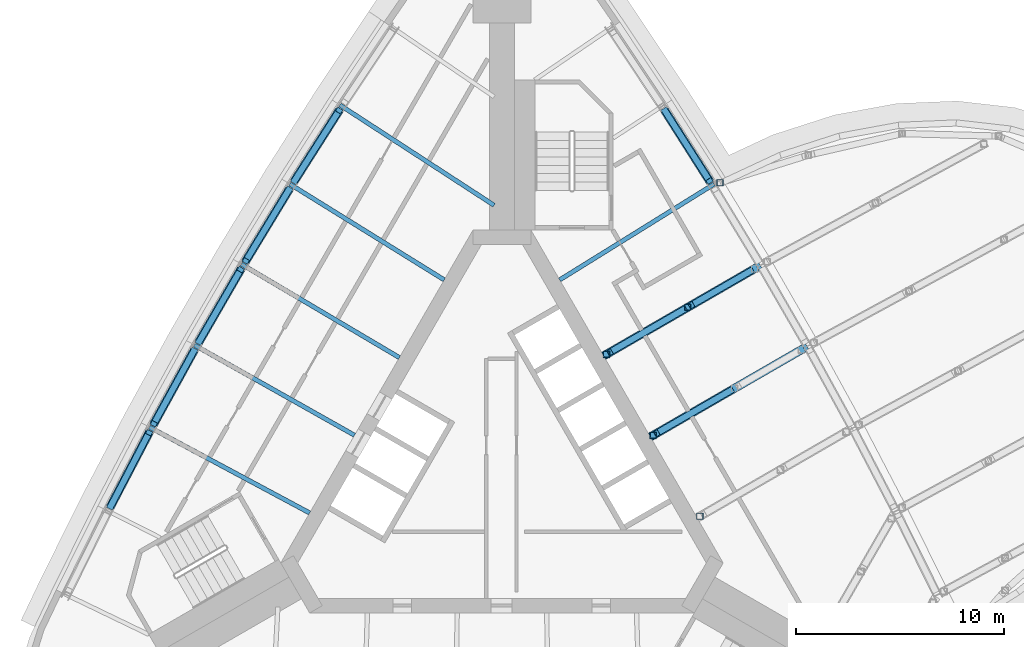
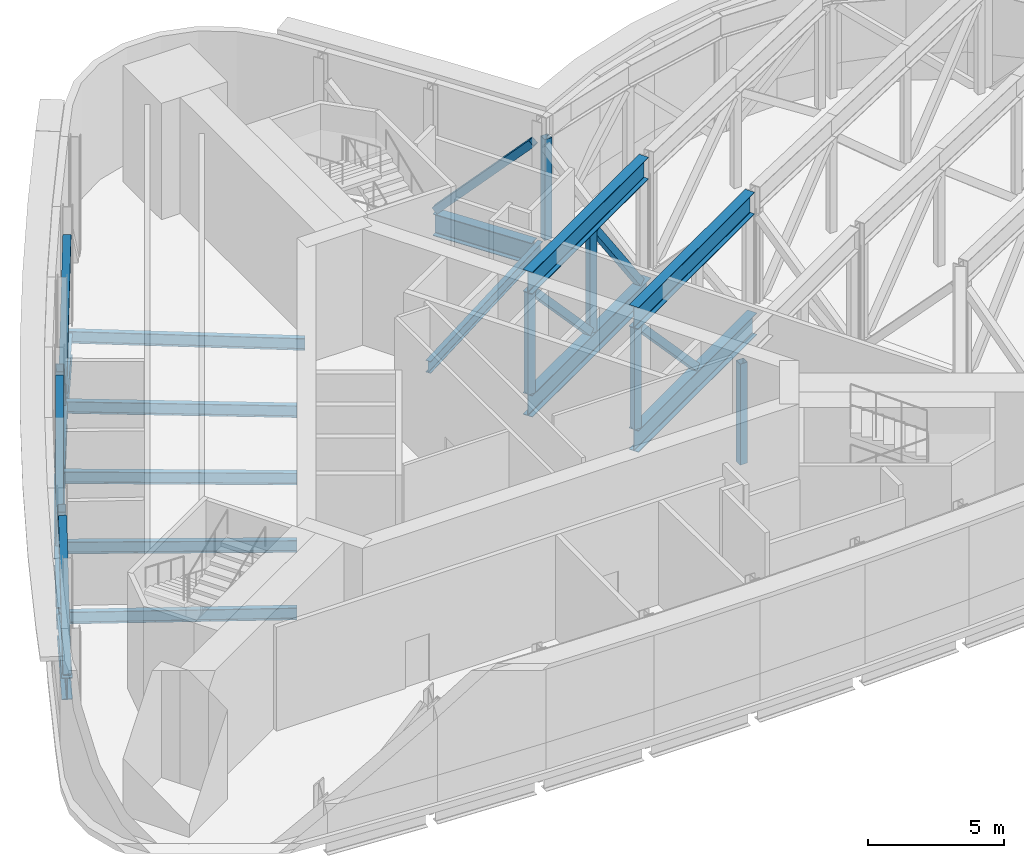
# One storey, part 2 of 11: 18 members, 12 beams.
"""IFC4 building model written with IfcOpenShell, lengths in metres."""

from ifc_helpers import new_model, si_unit, direction, frame, origin, origin_2d, place, context, subcontext, project, spatial, hollow_rectangle, i_section, extrude, material, material_profile, profile_set, type_object, element, save


model = new_model("IFC4")

# Units and contexts
model_context = context("Model", 3, precision=1e-05, world=origin(), true_north=direction((0.0, 1.0)))
body_context = subcontext(model_context, "Body", "Model", "MODEL_VIEW")
ifc_project = project(units=[si_unit("LENGTHUNIT", "METRE"), si_unit("AREAUNIT", "SQUARE_METRE"), si_unit("VOLUMEUNIT", "CUBIC_METRE"), si_unit("PLANEANGLEUNIT", "RADIAN"), si_unit("MASSUNIT", "GRAM", prefix="KILO")], contexts=[model_context])

# Site, building, storey
site_placement = place(None, origin())
site = spatial("IfcSite", under=ifc_project, at=site_placement, CompositionType="ELEMENT")
building_placement = place(site_placement, origin())
building = spatial("IfcBuilding", under=site, at=building_placement, Name="Noor Cloister Tower", CompositionType="ELEMENT")
storey_placement = place(building_placement, frame((0.0, 0.0, 168.89990234375)))
storey = spatial("IfcBuildingStorey", under=building, at=storey_placement, Name="L43", CompositionType="ELEMENT", Elevation=168.89990234375)

# Beams
ifc_material_1 = material(Name="Steel ASTM A992 Gr 50", Category="steel")
ifc_material_profile_1 = material_profile(ifc_material_1, i_section(OverallWidth=0.40087890625, OverallDepth=0.98291015625, WebThickness=0.0166015625, FlangeThickness=0.027099609375, FilletRadius=0.030029296875, at=origin_2d()), Name="W1000x296")
ifc_profile_set_1 = profile_set([ifc_material_profile_1], Name="Steel ASTM A992 Gr 50")
beam_type_1 = type_object("IfcBeamType", Name="Belt chord girder W1000x296", PredefinedType="BEAM", material=ifc_profile_set_1)
for number, where, z_axis, x_axis, name in (
    (1, (-7.791015625, 17.21875, -0.79150390625), (-0.536241799089, -0.844064412773, 0.0), (0.844064412773, -0.536241799089, 0.0), "Spandrel beam NW 02 L43"),
    (2, (-10.194091796875, 13.427978515625, -0.79150390625), (-0.518265991157, -0.85521948201, 0.0), (0.85521948201, -0.518265991157, 0.0), "Spandrel beam NW 03 L43"),
    (3, (-12.5166015625, 9.58740234375, -0.79150390625), (-0.499953296348, -0.866052366471, 0.0), (0.866052366471, -0.499953296348, 0.0), "Spandrel beam NW 04 L43"),
):
    element("IfcBeam", number, at=place(storey_placement, frame(where, z_axis=z_axis, x_axis=x_axis)), inside=storey, type_object=beam_type_1, Name=name, PredefinedType="BEAM", context=body_context, shape_type="SweptSolid", body=[
        extrude(i_section(OverallWidth=0.40087890625, OverallDepth=0.98291015625, WebThickness=0.0166015625, FlangeThickness=0.027099609375, FilletRadius=0.030029296875, at=origin_2d()), origin(), (0.0, 0.0, 1.0), 4.08935546875),
    ])
for number, where, z_axis, x_axis, name in (
    (4, (-14.757080078125, 5.6982421875, -0.79150390625), (-0.481531356591, -0.876428863411, 0.0), (0.876428863411, -0.481531356591, 0.0), "Spandrel beam NW 05 L43"),
    (5, (-16.91455078125, 1.7626953125, -0.79150390625), (-0.462882237946, -0.886419784185, 0.0), (0.886419784185, -0.462882237946, 0.0), "Spandrel beam NW 06 L43"),
):
    element("IfcBeam", number, at=place(storey_placement, frame(where, z_axis=z_axis, x_axis=x_axis)), inside=storey, type_object=beam_type_1, Name=name, PredefinedType="BEAM", context=body_context, shape_type="SweptSolid", body=[
        extrude(i_section(OverallWidth=0.40087890625, OverallDepth=0.98291015625, WebThickness=0.0166015625, FlangeThickness=0.027099609375, FilletRadius=0.030029296875, at=origin_2d()), origin(), (0.0, 0.0, 1.0), 4.089111328125),
    ])
beam_1_placement = place(storey_placement, frame((9.98388671875, 13.76708984375, -0.79150390625), z_axis=(-0.536241799089, 0.844064412773, 0.0), x_axis=(-0.844064412773, -0.536241799089, 0.0)))
element("IfcBeam", 6, at=beam_1_placement, inside=storey, type_object=beam_type_1, Name="Spandrel beam NE 06 L43", PredefinedType="BEAM", context=body_context, shape_type="SweptSolid", body=[
    extrude(i_section(OverallWidth=0.40087890625, OverallDepth=0.98291015625, WebThickness=0.0166015625, FlangeThickness=0.027099609375, FilletRadius=0.030029296875, at=origin_2d()), origin(), (0.0, 0.0, 1.0), 4.08935546875),
])

# Members
ifc_material_2 = material(Name="Steel ASTM A500 Gr C", Category="steel")
ifc_material_profile_2 = material_profile(ifc_material_2, hollow_rectangle(XDim=0.304931640625, YDim=0.304931640625, WallThickness=0.0126953125, at=origin_2d()), Name="HSS304.8x304.8x12.7")
ifc_profile_set_2 = profile_set([ifc_material_profile_2], Name="Steel ASTM A500 Gr C")
member_type_1 = type_object("IfcMemberType", Name="Belt truss diagonal HSS304.8x304.8x12.7", PredefinedType="BRACE", material=ifc_profile_set_2)
for number, where, z_axis, x_axis, name in (
    (7, (-9.96142578125, 13.80224609375, -0.196044921875), (0.365078770499, 0.574673322647, 0.73243980201), (-0.844075327844, 0.536224617978, 0.0), "Belt truss diagonal NW 02 L43"),
    (8, (-10.2158203125, 13.392333984375, -0.196044921875), (-0.352838029881, -0.582267815511, 0.7324407933), (0.855231394495, -0.518246333195, 0.0), "Belt truss diagonal NW 03 L43"),
):
    element("IfcMember", number, at=place(storey_placement, frame(where, z_axis=z_axis, x_axis=x_axis)), inside=storey, type_object=member_type_1, Name=name, PredefinedType="BRACE", context=body_context, shape_type="SweptSolid", body=[
        extrude(hollow_rectangle(XDim=0.304931640625, YDim=0.304931640625, WallThickness=0.0126953125, at=origin_2d()), origin(), (0.0, 0.0, 1.0), 5.883544921875),
    ])
member_1_placement = place(storey_placement, frame((-14.540283203125, 6.08203125, -0.196044921875), z_axis=(0.340421526636, 0.589637968491, 0.732420815048), x_axis=(-0.866029291668, 0.499993265928, 0.0)))
element("IfcMember", 9, at=member_1_placement, inside=storey, type_object=member_type_1, Name="Belt truss diagonal NW 04 L43", PredefinedType="BRACE", context=body_context, shape_type="SweptSolid", body=[
    extrude(hollow_rectangle(XDim=0.304931640625, YDim=0.304931640625, WallThickness=0.0126953125, at=origin_2d()), origin(), (0.0, 0.0, 1.0), 5.8837890625),
])
member_2_placement = place(storey_placement, frame((-14.777099609375, 5.66162109375, -0.196044921875), z_axis=(-0.327854177329, -0.596702071888, 0.732433120368), x_axis=(0.876421715838, -0.481544365566, 0.0)))
element("IfcMember", 10, at=member_2_placement, inside=storey, type_object=member_type_1, Name="Belt truss diagonal NW 05 L43", PredefinedType="BRACE", context=body_context, shape_type="SweptSolid", body=[
    extrude(hollow_rectangle(XDim=0.304931640625, YDim=0.304931640625, WallThickness=0.0126953125, at=origin_2d()), origin(), (0.0, 0.0, 1.0), 5.883544921875),
])
member_3_placement = place(storey_placement, frame((-18.7880859375, -1.8251953125, -0.196044921875), z_axis=(0.315148252961, 0.603532763571, 0.7324136686), x_axis=(-0.886427228353, 0.462867982079, 0.0)))
element("IfcMember", 11, at=member_3_placement, inside=storey, type_object=member_type_1, Name="Belt truss diagonal NW 06 L43", PredefinedType="BRACE", context=body_context, shape_type="SweptSolid", body=[
    extrude(hollow_rectangle(XDim=0.304931640625, YDim=0.304931640625, WallThickness=0.0126953125, at=origin_2d()), origin(), (0.0, 0.0, 1.0), 5.8837890625),
])
member_4_placement = place(storey_placement, frame((7.8134765625, 17.183349609375, -0.196044921875), z_axis=(0.365078770499, -0.574673322647, 0.73243980201), x_axis=(0.844075327844, 0.536224617978, 0.0)))
element("IfcMember", 12, at=member_4_placement, inside=storey, type_object=member_type_1, Name="Belt truss diagonal NE 06 L43", PredefinedType="BRACE", context=body_context, shape_type="SweptSolid", body=[
    extrude(hollow_rectangle(XDim=0.304931640625, YDim=0.304931640625, WallThickness=0.0126953125, at=origin_2d()), origin(), (0.0, 0.0, 1.0), 5.883544921875),
])
ifc_material_3 = material(Name="Steel ASTM A992 Gr 50", Category="steel")
ifc_material_profile_3 = material_profile(ifc_material_3, i_section(OverallWidth=0.40087890625, OverallDepth=0.98291015625, WebThickness=0.0166015625, FlangeThickness=0.027099609375, FilletRadius=0.030029296875, at=origin_2d()), Name="W1000x296")
ifc_profile_set_3 = profile_set([ifc_material_profile_3], Name="Steel ASTM A992 Gr 50")
member_type_2 = type_object("IfcMemberType", Name="Pod truss chord W1000x296", PredefinedType="CHORD", material=ifc_profile_set_3)
member_5_placement = place(storey_placement, frame((14.64404296875, 5.86328125, -0.79150390625), z_axis=(-0.866039544294, -0.49997550712, 0.0), x_axis=(0.49997550712, -0.866039544294, 0.0)))
element("IfcMember", 13, at=member_5_placement, inside=storey, type_object=member_type_2, Name="Pod truss 3 bottom chord line 4 back span", PredefinedType="CHORD", context=body_context, shape_type="SweptSolid", body=[
    extrude(i_section(OverallWidth=0.40087890625, OverallDepth=0.98291015625, WebThickness=0.0166015625, FlangeThickness=0.027099609375, FilletRadius=0.030029296875, at=origin_2d()), origin(), (0.0, 0.0, 1.0), 8.685546875),
])
member_6_placement = place(storey_placement, frame((14.491943359375, 5.775634765625, 4.70849609375), z_axis=(-0.866031274371, -0.499989831707, 0.0), x_axis=(0.499989831707, -0.866031274371, 0.0)))
element("IfcMember", 14, at=member_6_placement, inside=storey, type_object=member_type_2, Name="Pod truss 3 top chord line 4 back span", PredefinedType="CHORD", context=body_context, shape_type="SweptSolid", body=[
    extrude(i_section(OverallWidth=0.40087890625, OverallDepth=0.98291015625, WebThickness=0.0166015625, FlangeThickness=0.027099609375, FilletRadius=0.030029296875, at=origin_2d()), origin(), (0.0, 0.0, 1.0), 8.510009765625),
])
member_7_placement = place(storey_placement, frame((12.39990234375, 9.750244140625, -0.79150390625), z_axis=(-0.866027373034, -0.499996589144, 0.0), x_axis=(0.499996589144, -0.866027373034, 0.0)))
element("IfcMember", 15, at=member_7_placement, inside=storey, type_object=member_type_2, Name="Pod truss 3 bottom chord line 5 back span", PredefinedType="CHORD", context=body_context, shape_type="SweptSolid", body=[
    extrude(i_section(OverallWidth=0.40087890625, OverallDepth=0.98291015625, WebThickness=0.0166015625, FlangeThickness=0.027099609375, FilletRadius=0.030029296875, at=origin_2d()), origin(), (0.0, 0.0, 1.0), 8.685546875),
])
member_8_placement = place(storey_placement, frame((12.247802734375, 9.66259765625, 4.70849609375), z_axis=(-0.866018851801, -0.500011348197, 0.0), x_axis=(0.500011348197, -0.866018851801, 0.0)))
element("IfcMember", 16, at=member_8_placement, inside=storey, type_object=member_type_2, Name="Pod truss 3 top chord line 5 back span", PredefinedType="CHORD", context=body_context, shape_type="SweptSolid", body=[
    extrude(i_section(OverallWidth=0.40087890625, OverallDepth=0.98291015625, WebThickness=0.0166015625, FlangeThickness=0.027099609375, FilletRadius=0.030029296875, at=origin_2d()), origin(), (0.0, 0.0, 1.0), 8.510009765625),
])
ifc_material_4 = material(Name="Steel ASTM A500 Gr C", Category="steel")
ifc_material_profile_4 = material_profile(ifc_material_4, hollow_rectangle(XDim=0.304931640625, YDim=0.304931640625, WallThickness=0.0126953125, at=origin_2d()), Name="HSS304.8x304.8x12.7")
ifc_profile_set_4 = profile_set([ifc_material_profile_4], Name="Steel ASTM A500 Gr C")
member_type_3 = type_object("IfcMemberType", Name="Pod truss diagonal HSS304.8x304.8x12.7", PredefinedType="BRACE", material=ifc_profile_set_4)
member_9_placement = place(storey_placement, frame((10.9912109375, 3.75439453125, -0.194580078125), z_axis=(-0.598493452842, -0.345549451446, 0.722773244877), x_axis=(0.500009870681, -0.866019704869, 0.0)))
element("IfcMember", 17, at=member_9_placement, inside=storey, type_object=member_type_3, Name="Pod truss 3 diagonal line 4 back span 2", PredefinedType="BRACE", context=body_context, shape_type="SweptSolid", body=[
    extrude(hollow_rectangle(XDim=0.304931640625, YDim=0.304931640625, WallThickness=0.0126953125, at=origin_2d()), origin(), (0.0, 0.0, 1.0), 5.958251953125),
])
member_10_placement = place(storey_placement, frame((11.944580078125, 9.487548828125, -0.20751953125), z_axis=(-0.524487231708, -0.30282680196, 0.795744350775), x_axis=(0.500017284569, -0.866015424304, 0.0)))
element("IfcMember", 18, at=member_10_placement, inside=storey, type_object=member_type_3, Name="Pod truss 3 diagonal line 5 back span 1", PredefinedType="BRACE", context=body_context, shape_type="SweptSolid", body=[
    extrude(hollow_rectangle(XDim=0.304931640625, YDim=0.304931640625, WallThickness=0.0126953125, at=origin_2d()), origin(), (0.0, 0.0, 1.0), 5.4443359375),
])
member_11_placement = place(storey_placement, frame((8.7470703125, 7.641357421875, -0.194580078125), z_axis=(-0.598493452842, -0.345549451446, 0.722773244877), x_axis=(0.500009870681, -0.866019704869, 0.0)))
element("IfcMember", 19, at=member_11_placement, inside=storey, type_object=member_type_3, Name="Pod truss 3 diagonal line 5 back span 2", PredefinedType="BRACE", context=body_context, shape_type="SweptSolid", body=[
    extrude(hollow_rectangle(XDim=0.304931640625, YDim=0.304931640625, WallThickness=0.0126953125, at=origin_2d()), origin(), (0.0, 0.0, 1.0), 5.958251953125),
])
ifc_material_5 = material(Name="Steel ASTM A500 Gr C", Category="steel")
ifc_material_profile_5 = material_profile(ifc_material_5, hollow_rectangle(XDim=0.304931640625, YDim=0.304931640625, WallThickness=0.0126953125, at=origin_2d()), Name="HSS304.8x304.8x12.7")
ifc_profile_set_5 = profile_set([ifc_material_profile_5], Name="Steel ASTM A500 Gr C")
member_type_4 = type_object("IfcMemberType", Name="Pod truss post HSS304.8x304.8x12.7", PredefinedType="POST", material=ifc_profile_set_5)
member_12_placement = place(storey_placement, frame((10.462158203125, 13.714599609375, -0.2998046875), z_axis=(0.0, 0.0, 1.0), x_axis=(1.0, 0.0, 0.0)))
element("IfcMember", 20, at=member_12_placement, inside=storey, type_object=member_type_4, Name="Pod truss 3 post ring node 10", PredefinedType="POST", context=body_context, shape_type="SweptSolid", body=[
    extrude(hollow_rectangle(XDim=0.304931640625, YDim=0.304931640625, WallThickness=0.0126953125, at=origin_2d()), origin(), (0.0, 0.0, 1.0), 4.52001953125),
])
for number, where, z_axis, x_axis, name in (
    (21, (9.497802734375, -2.289306640625, -0.2998046875), (0.0, 0.0, 1.0), (1.0, 0.0, 0.0), "Pod truss 3 post line 3 back span 3"),
    (22, (7.254150390625, 1.596923828125, -0.2998046875), (0.0, 0.0, 1.0), (1.0, 0.0, 0.0), "Pod truss 3 post line 4 back span 3"),
    (23, (8.918212890625, 7.740234375, -0.2998046875), (0.0, 0.0, 1.0), (1.0, 0.0, 0.0), "Pod truss 3 post line 5 back span 2"),
    (24, (5.010009765625, 5.48388671875, -0.2998046875), (0.0, 0.0, 1.0), (1.0, 0.0, 0.0), "Pod truss 3 post line 5 back span 3"),
):
    element("IfcMember", number, at=place(storey_placement, frame(where, z_axis=z_axis, x_axis=x_axis)), inside=storey, type_object=member_type_4, Name=name, PredefinedType="POST", context=body_context, shape_type="SweptSolid", body=[
        extrude(hollow_rectangle(XDim=0.304931640625, YDim=0.304931640625, WallThickness=0.0126953125, at=origin_2d()), origin(), (0.0, 0.0, 1.0), 4.516845703125),
    ])

# Beams
ifc_material_6 = material(Name="Steel ASTM A992 Gr 50", Category="steel")
ifc_material_profile_6 = material_profile(ifc_material_6, i_section(OverallWidth=0.208984375, OverallDepth=0.532958984375, WebThickness=0.01025390625, FlangeThickness=0.015625, FilletRadius=0.0126953125, at=origin_2d()), Name="W530x92")
ifc_profile_set_6 = profile_set([ifc_material_profile_6], Name="Steel ASTM A992 Gr 50")
beam_type_2 = type_object("IfcBeamType", Name="Radial beam W530x92", PredefinedType="BEAM", material=ifc_profile_set_6)
beam_2_placement = place(storey_placement, frame((-7.773681640625, 17.4453125, -0.56640625), z_axis=(0.838345637605, -0.545139057405, 0.0), x_axis=(0.545139057405, 0.838345637605, 0.0)))
element("IfcBeam", 25, at=beam_2_placement, inside=storey, type_object=beam_type_2, Name="Radial beam NW 02 L43", PredefinedType="BEAM", context=body_context, shape_type="SweptSolid", body=[
    extrude(i_section(OverallWidth=0.208984375, OverallDepth=0.532958984375, WebThickness=0.01025390625, FlangeThickness=0.015625, FilletRadius=0.0126953125, at=origin_2d()), origin(), (0.0, 0.0, 1.0), 8.825439453125),
])
beam_3_placement = place(storey_placement, frame((-10.181640625, 13.655029296875, -0.56640625), z_axis=(0.849700281583, -0.527265996891, 0.0), x_axis=(0.527265996891, 0.849700281583, 0.0)))
element("IfcBeam", 26, at=beam_3_placement, inside=storey, type_object=beam_type_2, Name="Radial beam NW 03 L43", PredefinedType="BEAM", context=body_context, shape_type="SweptSolid", body=[
    extrude(i_section(OverallWidth=0.208984375, OverallDepth=0.532958984375, WebThickness=0.01025390625, FlangeThickness=0.015625, FilletRadius=0.0126953125, at=origin_2d()), origin(), (0.0, 0.0, 1.0), 8.72119140625),
])
beam_4_placement = place(storey_placement, frame((-12.5087890625, 9.814697265625, -0.56640625), z_axis=(0.86066885467, -0.50916512312, 0.0), x_axis=(0.50916512312, 0.86066885467, 0.0)))
element("IfcBeam", 27, at=beam_4_placement, inside=storey, type_object=beam_type_2, Name="Radial beam NW 04 L43", PredefinedType="BEAM", context=body_context, shape_type="SweptSolid", body=[
    extrude(i_section(OverallWidth=0.208984375, OverallDepth=0.532958984375, WebThickness=0.01025390625, FlangeThickness=0.015625, FilletRadius=0.0126953125, at=origin_2d()), origin(), (0.0, 0.0, 1.0), 8.8125),
])
beam_5_placement = place(storey_placement, frame((-14.754150390625, 5.92578125, -0.56640625), z_axis=(0.87127499199, -0.49079515924, 0.0), x_axis=(0.49079515924, 0.87127499199, 0.0)))
element("IfcBeam", 28, at=beam_5_placement, inside=storey, type_object=beam_type_2, Name="Radial beam NW 05 L43", PredefinedType="BEAM", context=body_context, shape_type="SweptSolid", body=[
    extrude(i_section(OverallWidth=0.208984375, OverallDepth=0.532958984375, WebThickness=0.01025390625, FlangeThickness=0.015625, FilletRadius=0.0126953125, at=origin_2d()), origin(), (0.0, 0.0, 1.0), 8.812744140625),
])
beam_6_placement = place(storey_placement, frame((-16.91650390625, 1.989990234375, -0.56640625), z_axis=(0.881481218488, -0.47221908205, 0.0), x_axis=(0.47221908205, 0.881481218488, 0.0)))
element("IfcBeam", 29, at=beam_6_placement, inside=storey, type_object=beam_type_2, Name="Radial beam NW 06 L43", PredefinedType="BEAM", context=body_context, shape_type="SweptSolid", body=[
    extrude(i_section(OverallWidth=0.208984375, OverallDepth=0.532958984375, WebThickness=0.01025390625, FlangeThickness=0.015625, FilletRadius=0.0126953125, at=origin_2d()), origin(), (0.0, 0.0, 1.0), 8.721435546875),
])
beam_7_placement = place(storey_placement, frame((10.181640625, 13.655029296875, -0.56640625), z_axis=(-0.849700281583, -0.527265996891, 0.0), x_axis=(0.527265996891, -0.849700281583, 0.0)))
element("IfcBeam", 30, at=beam_7_placement, inside=storey, type_object=beam_type_2, Name="Radial beam NE 06 L43", PredefinedType="BEAM", context=body_context, shape_type="SweptSolid", body=[
    extrude(i_section(OverallWidth=0.208984375, OverallDepth=0.532958984375, WebThickness=0.01025390625, FlangeThickness=0.015625, FilletRadius=0.0126953125, at=origin_2d()), origin(), (0.0, 0.0, 1.0), 8.72119140625),
])

save(model, "model.ifc")
